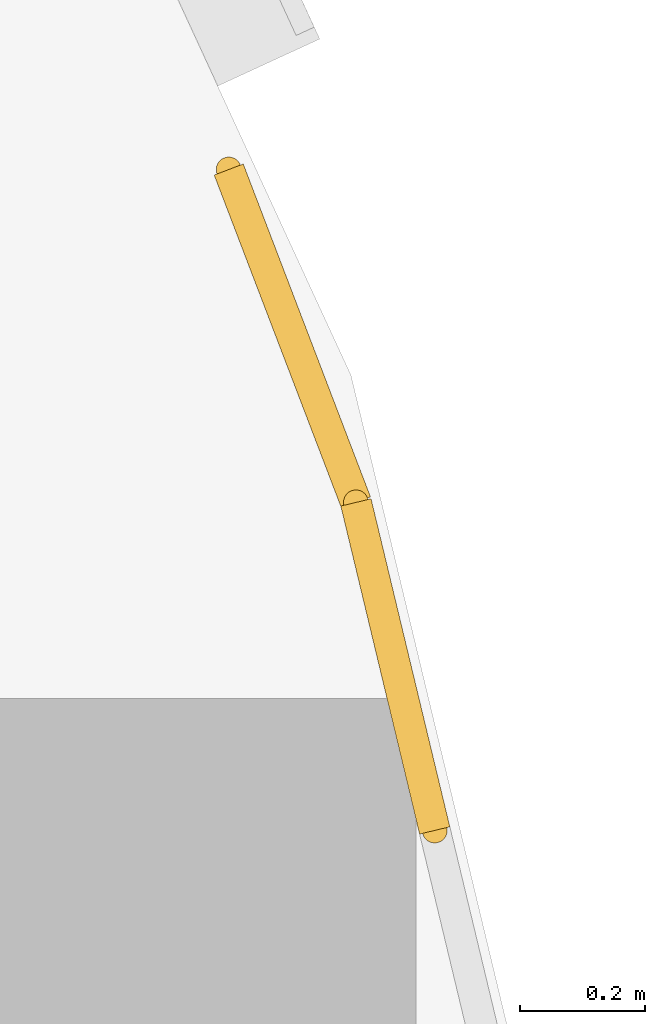
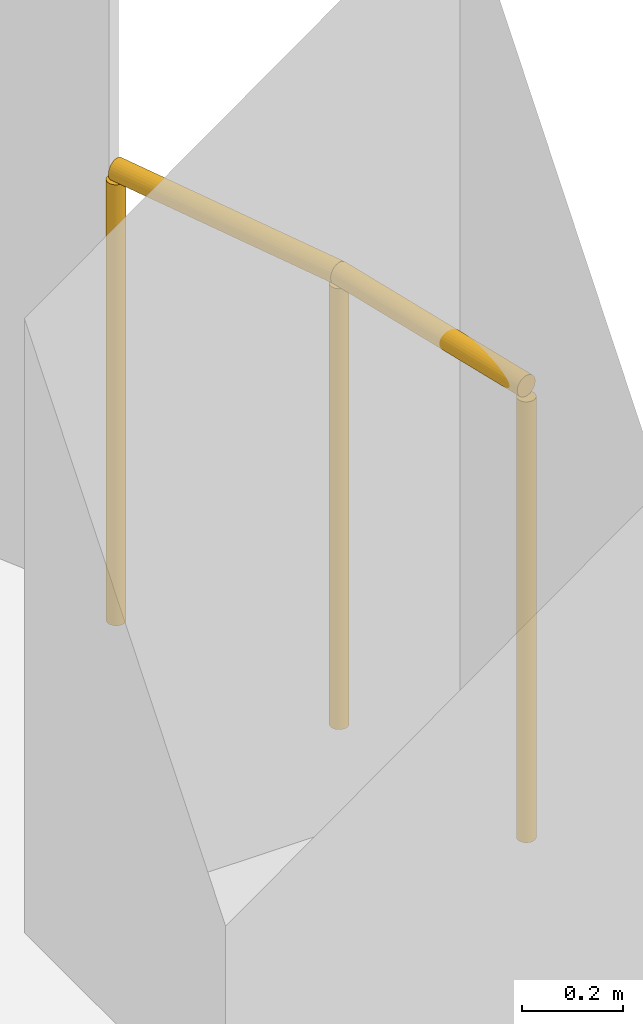
# One storey, part 24 of 24: 2 railings.
"""IFC4 building model written with IfcOpenShell, lengths in metres."""

from ifc_helpers import new_model, si_unit, direction, frame, origin, origin_2d, place, context, subcontext, project, spatial, circle, extrude, material, type_object, element, save


model = new_model("IFC4")

# Units and contexts
model_context = context("Model", 3, precision=1e-05, world=origin(), true_north=direction((0.0, 1.0)))
body_context = subcontext(model_context, "Body", "Model", "MODEL_VIEW")
ifc_project = project(units=[si_unit("LENGTHUNIT", "METRE"), si_unit("AREAUNIT", "SQUARE_METRE"), si_unit("VOLUMEUNIT", "CUBIC_METRE"), si_unit("PLANEANGLEUNIT", "RADIAN"), si_unit("MASSUNIT", "GRAM", prefix="KILO")], contexts=[model_context])

# Site, building, storey
site_placement = place(None, origin())
site = spatial("IfcSite", under=ifc_project, at=site_placement, CompositionType="ELEMENT")
building_placement = place(site_placement, origin())
building = spatial("IfcBuilding", under=site, at=building_placement, Name="Orlundy Tower", CompositionType="ELEMENT")
storey_placement = place(building_placement, frame((0.0, 0.0, 210.5)))
storey = spatial("IfcBuildingStorey", under=building, at=storey_placement, Name="L55", CompositionType="ELEMENT", Elevation=210.5)

# Railings
ifc_material = material(Name="Stainless steel bronze finish", Category="steel")
railing_type = type_object("IfcRailingType", Name="TG1 terrace guard", PredefinedType="GUARDRAIL", material=ifc_material)
railing_1_placement = place(storey_placement, frame((35.760986328125, 19.7607421875, 0.0)))
element("IfcRailing", 1, at=railing_1_placement, inside=storey, type_object=railing_type, Name="Guard TG-L55-E029", PredefinedType="GUARDRAIL", context=body_context, shape_type="SweptSolid", body=[
    extrude(circle(Radius=0.02490234375, at=origin_2d()), frame((0.0, 0.0, 1.09521484375), z_axis=(0.356972908757, -0.934114737285, 0.0), x_axis=(0.934114737285, 0.356972908757, 0.0)), (0.0, 0.0, 1.0), 0.571044921875),
    extrude(circle(Radius=0.02001953125, at=origin_2d()), origin(), (0.0, 0.0, 1.0), 1.070068359375),
    extrude(circle(Radius=0.02001953125, at=origin_2d()), frame((0.203857421875, -0.533447265625, 0.0)), (0.0, 0.0, 1.0), 1.070068359375),
])
railing_2_placement = place(storey_placement, frame((35.96484375, 19.227294921875, 0.0)))
element("IfcRailing", 2, at=railing_2_placement, inside=storey, type_object=railing_type, Name="Guard TG-L55-E030", PredefinedType="GUARDRAIL", context=body_context, shape_type="SweptSolid", body=[
    extrude(circle(Radius=0.02490234375, at=origin_2d()), frame((0.0, 0.0, 1.09521484375), z_axis=(0.233492519827, -0.972358598041, 0.0), x_axis=(0.972358598041, 0.233492519827, 0.0)), (0.0, 0.0, 1.0), 0.54052734375),
    extrude(circle(Radius=0.02001953125, at=origin_2d()), origin(), (0.0, 0.0, 1.0), 1.070068359375),
    extrude(circle(Radius=0.02001953125, at=origin_2d()), frame((0.126220703125, -0.525634765625, 0.0)), (0.0, 0.0, 1.0), 1.070068359375),
])

save(model, "model.ifc")
